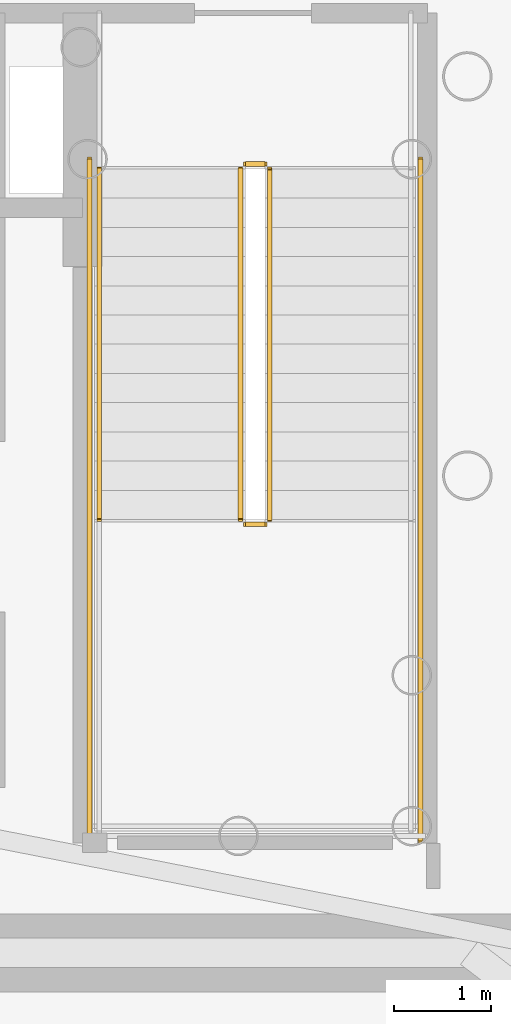
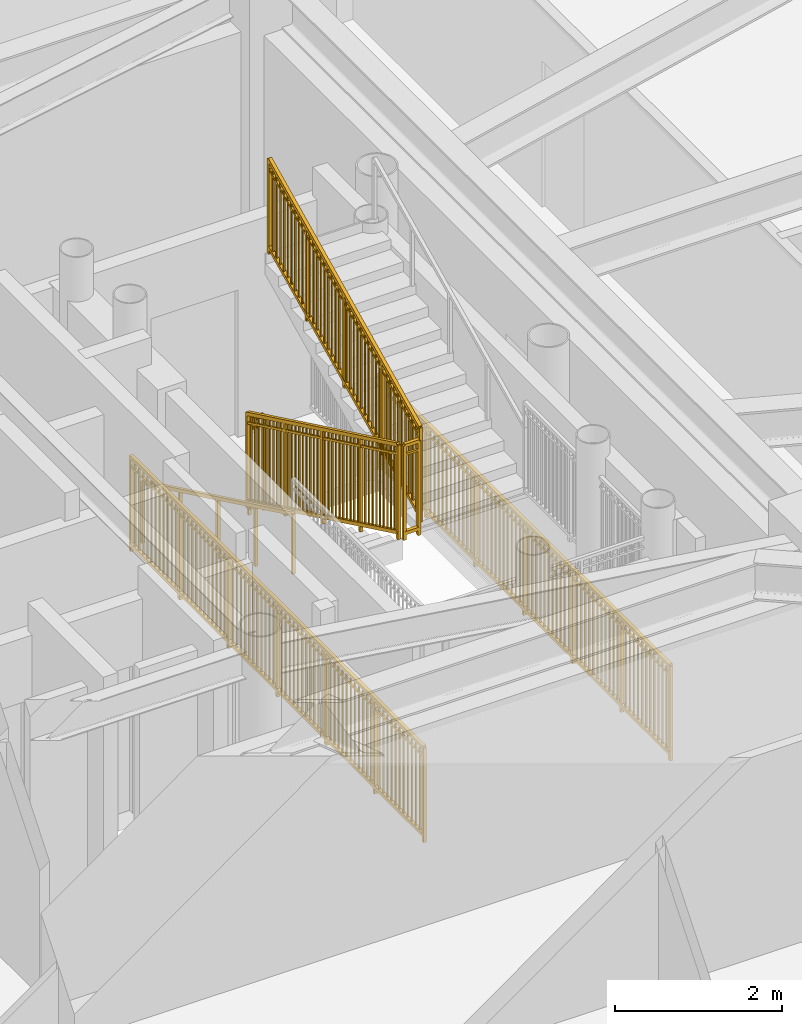
# One storey, part 18 of 19: 7 railings.
"""IFC4 building model written with IfcOpenShell, lengths in metres."""

from ifc_helpers import new_model, si_unit, direction, frame, origin, origin_2d, place, context, subcontext, project, spatial, rectangle, extrude, source, transform, mapped, material, type_object, element, save


model = new_model("IFC4")

# Units and contexts
model_context = context("Model", 3, precision=1e-05, world=origin(), true_north=direction((0.0, 1.0)))
body_context = subcontext(model_context, "Body", "Model", "MODEL_VIEW")
ifc_project = project(units=[si_unit("LENGTHUNIT", "METRE"), si_unit("AREAUNIT", "SQUARE_METRE"), si_unit("VOLUMEUNIT", "CUBIC_METRE"), si_unit("PLANEANGLEUNIT", "RADIAN"), si_unit("MASSUNIT", "GRAM", prefix="KILO")], contexts=[model_context])

# Site, building, storey
site_placement = place(None, origin())
site = spatial("IfcSite", under=ifc_project, at=site_placement, CompositionType="ELEMENT")
building_placement = place(site_placement, origin())
building = spatial("IfcBuilding", under=site, at=building_placement, Name="Linh Dai School and Residence Tower", CompositionType="ELEMENT")
storey_placement = place(building_placement, frame((0.0, 0.0, 112.199951171875)))
storey = spatial("IfcBuildingStorey", under=building, at=storey_placement, Name="L26", CompositionType="ELEMENT", Elevation=112.199951171875)

# Railings
ifc_material_1 = material(Name="Structural Steel S355JR", Category="steel")
railing_type_1 = type_object("IfcRailingType", Name="RL-ST-GUARD-1400", PredefinedType="GUARDRAIL", material=ifc_material_1)
shared_shape_1 = source(origin(), body_context, "Body", "SweptSolid", [
    extrude(rectangle(XDim=0.048095703125, YDim=0.048095703125, at=origin_2d()), frame((0.0, 0.0, 1.3759765625), z_axis=(0.0, 0.901262522062, 0.433273431364), x_axis=(-1.0, 0.0, 0.0)), (0.0, 0.0, 1.0), 3.994384765625),
    extrude(rectangle(XDim=0.048095703125, YDim=0.048095703125, at=origin_2d()), frame((0.0, 0.0, 0.10009765625), z_axis=(0.0, 0.901262522062, 0.433273431364), x_axis=(-1.0, 0.0, 0.0)), (0.0, 0.0, 1.0), 3.994384765625),
    extrude(rectangle(XDim=0.030029296875, YDim=0.030029296875, at=origin_2d()), frame((0.0, 0.0, 1.239990234375), z_axis=(0.0, 0.901262522062, 0.433273431364), x_axis=(-1.0, 0.0, 0.0)), (0.0, 0.0, 1.0), 3.994384765625),
    extrude(rectangle(XDim=0.02001953125, YDim=0.02001953125, at=origin_2d()), frame((0.0, 0.087890625, 0.142333984375)), (0.0, 0.0, 1.0), 1.251708984375),
    extrude(rectangle(XDim=0.02001953125, YDim=0.02001953125, at=origin_2d()), frame((0.0, 0.175537109375, 0.1845703125)), (0.0, 0.0, 1.0), 1.251708984375),
    extrude(rectangle(XDim=0.02001953125, YDim=0.02001953125, at=origin_2d()), frame((0.0, 0.263427734375, 0.226806640625)), (0.0, 0.0, 1.0), 1.251708984375),
    extrude(rectangle(XDim=0.02001953125, YDim=0.02001953125, at=origin_2d()), frame((0.0, 0.351318359375, 0.26904296875)), (0.0, 0.0, 1.0), 1.251708984375),
    extrude(rectangle(XDim=0.02001953125, YDim=0.02001953125, at=origin_2d()), frame((0.0, 0.43896484375, 0.311279296875)), (0.0, 0.0, 1.0), 1.251708984375),
    extrude(rectangle(XDim=0.02001953125, YDim=0.02001953125, at=origin_2d()), frame((0.0, 0.52685546875, 0.353271484375)), (0.0, 0.0, 1.0), 1.251708984375),
    extrude(rectangle(XDim=0.02001953125, YDim=0.02001953125, at=origin_2d()), frame((0.0, 0.61474609375, 0.3955078125)), (0.0, 0.0, 1.0), 1.251708984375),
    extrude(rectangle(XDim=0.02001953125, YDim=0.02001953125, at=origin_2d()), frame((0.0, 0.702392578125, 0.437744140625)), (0.0, 0.0, 1.0), 1.251708984375),
    extrude(rectangle(XDim=0.02001953125, YDim=0.02001953125, at=origin_2d()), frame((0.0, 0.790283203125, 0.47998046875)), (0.0, 0.0, 1.0), 1.251708984375),
    extrude(rectangle(XDim=0.02001953125, YDim=0.02001953125, at=origin_2d()), frame((0.0, 0.9658203125, 0.564453125)), (0.0, 0.0, 1.0), 1.251708984375),
    extrude(rectangle(XDim=0.02001953125, YDim=0.02001953125, at=origin_2d()), frame((0.0, 1.0537109375, 0.606689453125)), (0.0, 0.0, 1.0), 1.251708984375),
    extrude(rectangle(XDim=0.02001953125, YDim=0.02001953125, at=origin_2d()), frame((0.0, 1.1416015625, 0.64892578125)), (0.0, 0.0, 1.0), 1.251708984375),
    extrude(rectangle(XDim=0.02001953125, YDim=0.02001953125, at=origin_2d()), frame((0.0, 1.229248046875, 0.691162109375)), (0.0, 0.0, 1.0), 1.251708984375),
    extrude(rectangle(XDim=0.02001953125, YDim=0.02001953125, at=origin_2d()), frame((0.0, 1.317138671875, 0.7333984375)), (0.0, 0.0, 1.0), 1.251708984375),
    extrude(rectangle(XDim=0.02001953125, YDim=0.02001953125, at=origin_2d()), frame((0.0, 1.405029296875, 0.775390625)), (0.0, 0.0, 1.0), 1.251708984375),
    extrude(rectangle(XDim=0.02001953125, YDim=0.02001953125, at=origin_2d()), frame((0.0, 1.49267578125, 0.817626953125)), (0.0, 0.0, 1.0), 1.251708984375),
    extrude(rectangle(XDim=0.02001953125, YDim=0.02001953125, at=origin_2d()), frame((0.0, 1.58056640625, 0.85986328125)), (0.0, 0.0, 1.0), 1.251708984375),
    extrude(rectangle(XDim=0.02001953125, YDim=0.02001953125, at=origin_2d()), frame((0.0, 1.66845703125, 0.902099609375)), (0.0, 0.0, 1.0), 1.251708984375),
    extrude(rectangle(XDim=0.02001953125, YDim=0.02001953125, at=origin_2d()), frame((0.0, 1.756103515625, 0.9443359375)), (0.0, 0.0, 1.0), 1.251708984375),
    extrude(rectangle(XDim=0.02001953125, YDim=0.02001953125, at=origin_2d()), frame((0.0, 1.843994140625, 0.986572265625)), (0.0, 0.0, 1.0), 1.251708984375),
    extrude(rectangle(XDim=0.02001953125, YDim=0.02001953125, at=origin_2d()), frame((0.0, 1.931640625, 1.02880859375)), (0.0, 0.0, 1.0), 1.251708984375),
    extrude(rectangle(XDim=0.02001953125, YDim=0.02001953125, at=origin_2d()), frame((0.0, 2.01953125, 1.071044921875)), (0.0, 0.0, 1.0), 1.251708984375),
    extrude(rectangle(XDim=0.02001953125, YDim=0.02001953125, at=origin_2d()), frame((0.0, 2.107421875, 1.11328125)), (0.0, 0.0, 1.0), 1.251708984375),
    extrude(rectangle(XDim=0.02001953125, YDim=0.02001953125, at=origin_2d()), frame((0.0, 2.195068359375, 1.155517578125)), (0.0, 0.0, 1.0), 1.251708984375),
    extrude(rectangle(XDim=0.02001953125, YDim=0.02001953125, at=origin_2d()), frame((0.0, 2.282958984375, 1.197509765625)), (0.0, 0.0, 1.0), 1.251708984375),
    extrude(rectangle(XDim=0.02001953125, YDim=0.02001953125, at=origin_2d()), frame((0.0, 2.370849609375, 1.23974609375)), (0.0, 0.0, 1.0), 1.251708984375),
    extrude(rectangle(XDim=0.02001953125, YDim=0.02001953125, at=origin_2d()), frame((0.0, 2.45849609375, 1.281982421875)), (0.0, 0.0, 1.0), 1.251708984375),
    extrude(rectangle(XDim=0.02001953125, YDim=0.02001953125, at=origin_2d()), frame((0.0, 2.54638671875, 1.32421875)), (0.0, 0.0, 1.0), 1.251708984375),
    extrude(rectangle(XDim=0.02001953125, YDim=0.02001953125, at=origin_2d()), frame((0.0, 2.63427734375, 1.366455078125)), (0.0, 0.0, 1.0), 1.251708984375),
    extrude(rectangle(XDim=0.02001953125, YDim=0.02001953125, at=origin_2d()), frame((0.0, 2.809814453125, 1.450927734375)), (0.0, 0.0, 1.0), 1.251708984375),
    extrude(rectangle(XDim=0.02001953125, YDim=0.02001953125, at=origin_2d()), frame((0.0, 2.897705078125, 1.4931640625)), (0.0, 0.0, 1.0), 1.251708984375),
    extrude(rectangle(XDim=0.02001953125, YDim=0.02001953125, at=origin_2d()), frame((0.0, 2.9853515625, 1.535400390625)), (0.0, 0.0, 1.0), 1.251708984375),
    extrude(rectangle(XDim=0.02001953125, YDim=0.02001953125, at=origin_2d()), frame((0.0, 3.0732421875, 1.57763671875)), (0.0, 0.0, 1.0), 1.251708984375),
    extrude(rectangle(XDim=0.02001953125, YDim=0.02001953125, at=origin_2d()), frame((0.0, 3.1611328125, 1.61962890625)), (0.0, 0.0, 1.0), 1.251708984375),
    extrude(rectangle(XDim=0.02001953125, YDim=0.02001953125, at=origin_2d()), frame((0.0, 3.248779296875, 1.661865234375)), (0.0, 0.0, 1.0), 1.251708984375),
    extrude(rectangle(XDim=0.02001953125, YDim=0.02001953125, at=origin_2d()), frame((0.0, 3.336669921875, 1.7041015625)), (0.0, 0.0, 1.0), 1.251708984375),
    extrude(rectangle(XDim=0.02001953125, YDim=0.02001953125, at=origin_2d()), frame((0.0, 3.424560546875, 1.746337890625)), (0.0, 0.0, 1.0), 1.251708984375),
    extrude(rectangle(XDim=0.02001953125, YDim=0.02001953125, at=origin_2d()), frame((0.0, 3.51220703125, 1.78857421875)), (0.0, 0.0, 1.0), 1.251708984375),
    extrude(rectangle(XDim=0.0419921875, YDim=0.0419921875, at=origin_2d()), origin(), (0.0, 0.0, 1.0), 1.3759765625),
    extrude(rectangle(XDim=0.0419921875, YDim=0.0419921875, at=origin_2d()), frame((0.0, 0.89990234375, 0.4326171875)), (0.0, 0.0, 1.0), 1.3759765625),
    extrude(rectangle(XDim=0.0419921875, YDim=0.0419921875, at=origin_2d()), frame((0.0, 1.800048828125, 0.865234375)), (0.0, 0.0, 1.0), 1.3759765625),
    extrude(rectangle(XDim=0.0419921875, YDim=0.0419921875, at=origin_2d()), frame((0.0, 2.7001953125, 1.298095703125)), (0.0, 0.0, 1.0), 1.3759765625),
    extrude(rectangle(XDim=0.0419921875, YDim=0.0419921875, at=origin_2d()), frame((0.0, 3.60009765625, 1.730712890625)), (0.0, 0.0, 1.0), 1.3759765625),
])
railing_1_placement = place(storey_placement, frame((42.820068359375, 24.64990234375, 2.019287109375)))
element("IfcRailing", 1, at=railing_1_placement, inside=storey, type_object=railing_type_1, Name="L26 ST2 stair guard 6", PredefinedType="GUARDRAIL", context=body_context, shape_type="MappedRepresentation", body=[
    mapped(shared_shape_1, transform((0.0, 0.0, 0.0), x_axis=(1.0, 0.0, 0.0), y_axis=(0.0, 1.0, 0.0), z_axis=(0.0, 0.0, 1.0), scale=1.0)),
])
shared_shape_2 = source(origin(), body_context, "Body", "SweptSolid", [
    extrude(rectangle(XDim=0.048095703125, YDim=0.048095703125, at=origin_2d()), frame((0.0, 0.0, 1.3759765625), z_axis=(0.0, -0.901262522062, 0.433273431364), x_axis=(1.0, 0.0, 0.0)), (0.0, 0.0, 1.0), 3.994384765625),
    extrude(rectangle(XDim=0.048095703125, YDim=0.048095703125, at=origin_2d()), frame((0.0, 0.0, 0.10009765625), z_axis=(0.0, -0.901262522062, 0.433273431364), x_axis=(1.0, 0.0, 0.0)), (0.0, 0.0, 1.0), 3.994384765625),
    extrude(rectangle(XDim=0.030029296875, YDim=0.030029296875, at=origin_2d()), frame((0.0, 0.0, 1.239990234375), z_axis=(0.0, -0.901262522062, 0.433273431364), x_axis=(1.0, 0.0, 0.0)), (0.0, 0.0, 1.0), 3.994384765625),
    extrude(rectangle(XDim=0.02001953125, YDim=0.02001953125, at=origin_2d()), frame((0.0, -0.087890625, 0.142333984375)), (0.0, 0.0, 1.0), 1.251708984375),
    extrude(rectangle(XDim=0.02001953125, YDim=0.02001953125, at=origin_2d()), frame((0.0, -0.175537109375, 0.1845703125)), (0.0, 0.0, 1.0), 1.251708984375),
    extrude(rectangle(XDim=0.02001953125, YDim=0.02001953125, at=origin_2d()), frame((0.0, -0.263427734375, 0.226806640625)), (0.0, 0.0, 1.0), 1.251708984375),
    extrude(rectangle(XDim=0.02001953125, YDim=0.02001953125, at=origin_2d()), frame((0.0, -0.351318359375, 0.26904296875)), (0.0, 0.0, 1.0), 1.251708984375),
    extrude(rectangle(XDim=0.02001953125, YDim=0.02001953125, at=origin_2d()), frame((0.0, -0.43896484375, 0.311279296875)), (0.0, 0.0, 1.0), 1.251708984375),
    extrude(rectangle(XDim=0.02001953125, YDim=0.02001953125, at=origin_2d()), frame((0.0, -0.52685546875, 0.353271484375)), (0.0, 0.0, 1.0), 1.251708984375),
    extrude(rectangle(XDim=0.02001953125, YDim=0.02001953125, at=origin_2d()), frame((0.0, -0.61474609375, 0.3955078125)), (0.0, 0.0, 1.0), 1.251708984375),
    extrude(rectangle(XDim=0.02001953125, YDim=0.02001953125, at=origin_2d()), frame((0.0, -0.702392578125, 0.437744140625)), (0.0, 0.0, 1.0), 1.251708984375),
    extrude(rectangle(XDim=0.02001953125, YDim=0.02001953125, at=origin_2d()), frame((0.0, -0.790283203125, 0.47998046875)), (0.0, 0.0, 1.0), 1.251708984375),
    extrude(rectangle(XDim=0.02001953125, YDim=0.02001953125, at=origin_2d()), frame((0.0, -0.9658203125, 0.564453125)), (0.0, 0.0, 1.0), 1.251708984375),
    extrude(rectangle(XDim=0.02001953125, YDim=0.02001953125, at=origin_2d()), frame((0.0, -1.0537109375, 0.606689453125)), (0.0, 0.0, 1.0), 1.251708984375),
    extrude(rectangle(XDim=0.02001953125, YDim=0.02001953125, at=origin_2d()), frame((0.0, -1.1416015625, 0.64892578125)), (0.0, 0.0, 1.0), 1.251708984375),
    extrude(rectangle(XDim=0.02001953125, YDim=0.02001953125, at=origin_2d()), frame((0.0, -1.229248046875, 0.691162109375)), (0.0, 0.0, 1.0), 1.251708984375),
    extrude(rectangle(XDim=0.02001953125, YDim=0.02001953125, at=origin_2d()), frame((0.0, -1.317138671875, 0.7333984375)), (0.0, 0.0, 1.0), 1.251708984375),
    extrude(rectangle(XDim=0.02001953125, YDim=0.02001953125, at=origin_2d()), frame((0.0, -1.405029296875, 0.775390625)), (0.0, 0.0, 1.0), 1.251708984375),
    extrude(rectangle(XDim=0.02001953125, YDim=0.02001953125, at=origin_2d()), frame((0.0, -1.49267578125, 0.817626953125)), (0.0, 0.0, 1.0), 1.251708984375),
    extrude(rectangle(XDim=0.02001953125, YDim=0.02001953125, at=origin_2d()), frame((0.0, -1.58056640625, 0.85986328125)), (0.0, 0.0, 1.0), 1.251708984375),
    extrude(rectangle(XDim=0.02001953125, YDim=0.02001953125, at=origin_2d()), frame((0.0, -1.66845703125, 0.902099609375)), (0.0, 0.0, 1.0), 1.251708984375),
    extrude(rectangle(XDim=0.02001953125, YDim=0.02001953125, at=origin_2d()), frame((0.0, -1.756103515625, 0.9443359375)), (0.0, 0.0, 1.0), 1.251708984375),
    extrude(rectangle(XDim=0.02001953125, YDim=0.02001953125, at=origin_2d()), frame((0.0, -1.843994140625, 0.986572265625)), (0.0, 0.0, 1.0), 1.251708984375),
    extrude(rectangle(XDim=0.02001953125, YDim=0.02001953125, at=origin_2d()), frame((0.0, -1.931640625, 1.02880859375)), (0.0, 0.0, 1.0), 1.251708984375),
    extrude(rectangle(XDim=0.02001953125, YDim=0.02001953125, at=origin_2d()), frame((0.0, -2.01953125, 1.071044921875)), (0.0, 0.0, 1.0), 1.251708984375),
    extrude(rectangle(XDim=0.02001953125, YDim=0.02001953125, at=origin_2d()), frame((0.0, -2.107421875, 1.11328125)), (0.0, 0.0, 1.0), 1.251708984375),
    extrude(rectangle(XDim=0.02001953125, YDim=0.02001953125, at=origin_2d()), frame((0.0, -2.195068359375, 1.155517578125)), (0.0, 0.0, 1.0), 1.251708984375),
    extrude(rectangle(XDim=0.02001953125, YDim=0.02001953125, at=origin_2d()), frame((0.0, -2.282958984375, 1.197509765625)), (0.0, 0.0, 1.0), 1.251708984375),
    extrude(rectangle(XDim=0.02001953125, YDim=0.02001953125, at=origin_2d()), frame((0.0, -2.370849609375, 1.23974609375)), (0.0, 0.0, 1.0), 1.251708984375),
    extrude(rectangle(XDim=0.02001953125, YDim=0.02001953125, at=origin_2d()), frame((0.0, -2.45849609375, 1.281982421875)), (0.0, 0.0, 1.0), 1.251708984375),
    extrude(rectangle(XDim=0.02001953125, YDim=0.02001953125, at=origin_2d()), frame((0.0, -2.54638671875, 1.32421875)), (0.0, 0.0, 1.0), 1.251708984375),
    extrude(rectangle(XDim=0.02001953125, YDim=0.02001953125, at=origin_2d()), frame((0.0, -2.63427734375, 1.366455078125)), (0.0, 0.0, 1.0), 1.251708984375),
    extrude(rectangle(XDim=0.02001953125, YDim=0.02001953125, at=origin_2d()), frame((0.0, -2.809814453125, 1.450927734375)), (0.0, 0.0, 1.0), 1.251708984375),
    extrude(rectangle(XDim=0.02001953125, YDim=0.02001953125, at=origin_2d()), frame((0.0, -2.897705078125, 1.4931640625)), (0.0, 0.0, 1.0), 1.251708984375),
    extrude(rectangle(XDim=0.02001953125, YDim=0.02001953125, at=origin_2d()), frame((0.0, -2.9853515625, 1.535400390625)), (0.0, 0.0, 1.0), 1.251708984375),
    extrude(rectangle(XDim=0.02001953125, YDim=0.02001953125, at=origin_2d()), frame((0.0, -3.0732421875, 1.57763671875)), (0.0, 0.0, 1.0), 1.251708984375),
    extrude(rectangle(XDim=0.02001953125, YDim=0.02001953125, at=origin_2d()), frame((0.0, -3.1611328125, 1.61962890625)), (0.0, 0.0, 1.0), 1.251708984375),
    extrude(rectangle(XDim=0.02001953125, YDim=0.02001953125, at=origin_2d()), frame((0.0, -3.248779296875, 1.661865234375)), (0.0, 0.0, 1.0), 1.251708984375),
    extrude(rectangle(XDim=0.02001953125, YDim=0.02001953125, at=origin_2d()), frame((0.0, -3.336669921875, 1.7041015625)), (0.0, 0.0, 1.0), 1.251708984375),
    extrude(rectangle(XDim=0.02001953125, YDim=0.02001953125, at=origin_2d()), frame((0.0, -3.424560546875, 1.746337890625)), (0.0, 0.0, 1.0), 1.251708984375),
    extrude(rectangle(XDim=0.02001953125, YDim=0.02001953125, at=origin_2d()), frame((0.0, -3.51220703125, 1.78857421875)), (0.0, 0.0, 1.0), 1.251708984375),
    extrude(rectangle(XDim=0.0419921875, YDim=0.0419921875, at=origin_2d()), origin(), (0.0, 0.0, 1.0), 1.3759765625),
    extrude(rectangle(XDim=0.0419921875, YDim=0.0419921875, at=origin_2d()), frame((0.0, -0.89990234375, 0.4326171875)), (0.0, 0.0, 1.0), 1.3759765625),
    extrude(rectangle(XDim=0.0419921875, YDim=0.0419921875, at=origin_2d()), frame((0.0, -1.800048828125, 0.865234375)), (0.0, 0.0, 1.0), 1.3759765625),
    extrude(rectangle(XDim=0.0419921875, YDim=0.0419921875, at=origin_2d()), frame((0.0, -2.7001953125, 1.298095703125)), (0.0, 0.0, 1.0), 1.3759765625),
    extrude(rectangle(XDim=0.0419921875, YDim=0.0419921875, at=origin_2d()), frame((0.0, -3.60009765625, 1.730712890625)), (0.0, 0.0, 1.0), 1.3759765625),
])
railing_2_placement = place(storey_placement, frame((42.52001953125, 28.25, 0.144287109375)))
element("IfcRailing", 2, at=railing_2_placement, inside=storey, type_object=railing_type_1, Name="L26 ST2 stair guard 1", PredefinedType="GUARDRAIL", context=body_context, shape_type="MappedRepresentation", body=[
    mapped(shared_shape_2, transform((0.0, 0.0, 0.0), x_axis=(1.0, 0.0, 0.0), y_axis=(0.0, 1.0, 0.0), z_axis=(0.0, 0.0, 1.0), scale=1.0)),
])
ifc_material_2 = material(Name="Brushed Stainless Steel Handrail", Category="steel")
railing_type_2 = type_object("IfcRailingType", Name="RL-ST-HANDRAIL-900", PredefinedType="HANDRAIL", material=ifc_material_2)
shared_shape_3 = source(origin(), body_context, "Body", "SweptSolid", [
    extrude(rectangle(XDim=0.048095703125, YDim=0.048095703125, at=origin_2d()), frame((0.0, 0.0, 0.8759765625), z_axis=(0.0, -0.901262522062, 0.433273431364), x_axis=(1.0, 0.0, 0.0)), (0.0, 0.0, 1.0), 3.994384765625),
    extrude(rectangle(XDim=0.0419921875, YDim=0.0419921875, at=origin_2d()), origin(), (0.0, 0.0, 1.0), 0.8759765625),
    extrude(rectangle(XDim=0.0419921875, YDim=0.0419921875, at=origin_2d()), frame((0.0, -0.89990234375, 0.4326171875)), (0.0, 0.0, 1.0), 0.8759765625),
    extrude(rectangle(XDim=0.0419921875, YDim=0.0419921875, at=origin_2d()), frame((0.0, -1.800048828125, 0.865234375)), (0.0, 0.0, 1.0), 0.8759765625),
    extrude(rectangle(XDim=0.0419921875, YDim=0.0419921875, at=origin_2d()), frame((0.0, -2.7001953125, 1.298095703125)), (0.0, 0.0, 1.0), 0.8759765625),
    extrude(rectangle(XDim=0.0419921875, YDim=0.0419921875, at=origin_2d()), frame((0.0, -3.60009765625, 1.730712890625)), (0.0, 0.0, 1.0), 0.8759765625),
])
railing_3_placement = place(storey_placement, frame((41.070068359375, 28.25, 0.144287109375)))
element("IfcRailing", 3, at=railing_3_placement, inside=storey, type_object=railing_type_2, Name="L26 ST2 stair handrail 1", PredefinedType="HANDRAIL", context=body_context, shape_type="MappedRepresentation", body=[
    mapped(shared_shape_3, transform((0.0, 0.0, 0.0), x_axis=(1.0, 0.0, 0.0), y_axis=(0.0, 1.0, 0.0), z_axis=(0.0, 0.0, 1.0), scale=1.0)),
])
shared_shape_4 = source(origin(), body_context, "Body", "SweptSolid", [
    extrude(rectangle(XDim=0.048095703125, YDim=0.048095703125, at=origin_2d()), frame((0.0, 0.0, 1.3759765625), z_axis=(1.0, 0.0, 0.0), x_axis=(0.0, 1.0, 0.0)), (0.0, 0.0, 1.0), 0.199951171875),
    extrude(rectangle(XDim=0.048095703125, YDim=0.048095703125, at=origin_2d()), frame((0.0, 0.0, 0.10009765625), z_axis=(1.0, 0.0, 0.0), x_axis=(0.0, 1.0, 0.0)), (0.0, 0.0, 1.0), 0.199951171875),
    extrude(rectangle(XDim=0.030029296875, YDim=0.030029296875, at=origin_2d()), frame((0.0, 0.0, 1.239990234375), z_axis=(1.0, 0.0, 0.0), x_axis=(0.0, 1.0, 0.0)), (0.0, 0.0, 1.0), 0.199951171875),
    extrude(rectangle(XDim=0.0419921875, YDim=0.0419921875, at=origin_2d()), origin(), (0.0, 0.0, 1.0), 1.3759765625),
    extrude(rectangle(XDim=0.0419921875, YDim=0.0419921875, at=origin_2d()), frame((0.199951171875, 0.0, 0.0)), (0.0, 0.0, 1.0), 1.3759765625),
])
for number, where, name in (
    (4, (42.570068359375, 24.60009765625, 1.875), "L26 ST2 stair guard 2"),
    (5, (42.570068359375, 28.300048828125, 0.0), "L26 ST2 stair guard 7"),
):
    element("IfcRailing", number, at=place(storey_placement, frame(where)), inside=storey, type_object=railing_type_1, Name=name, PredefinedType="GUARDRAIL", context=body_context, shape_type="MappedRepresentation", body=[
        mapped(shared_shape_4, transform((0.0, 0.0, 0.0), x_axis=(1.0, 0.0, 0.0), y_axis=(0.0, 1.0, 0.0), z_axis=(0.0, 0.0, 1.0), scale=1.0)),
    ])
shared_shape_5 = source(origin(), body_context, "Body", "SweptSolid", [
    extrude(rectangle(XDim=0.048095703125, YDim=0.048095703125, at=origin_2d()), frame((0.0, 0.0, 1.3759765625), z_axis=(0.0, -1.0, 0.0), x_axis=(1.0, 0.0, 0.0)), (0.0, 0.0, 1.0), 7.0),
    extrude(rectangle(XDim=0.048095703125, YDim=0.048095703125, at=origin_2d()), frame((0.0, 0.0, 0.10009765625), z_axis=(0.0, -1.0, 0.0), x_axis=(1.0, 0.0, 0.0)), (0.0, 0.0, 1.0), 7.0),
    extrude(rectangle(XDim=0.030029296875, YDim=0.030029296875, at=origin_2d()), frame((0.0, 0.0, 1.239990234375), z_axis=(0.0, -1.0, 0.0), x_axis=(1.0, 0.0, 0.0)), (0.0, 0.0, 1.0), 7.0),
    extrude(rectangle(XDim=0.02001953125, YDim=0.02001953125, at=origin_2d()), frame((0.0, -0.09716796875, 0.10009765625)), (0.0, 0.0, 1.0), 1.251708984375),
    extrude(rectangle(XDim=0.02001953125, YDim=0.02001953125, at=origin_2d()), frame((0.0, -0.1943359375, 0.10009765625)), (0.0, 0.0, 1.0), 1.251708984375),
    extrude(rectangle(XDim=0.02001953125, YDim=0.02001953125, at=origin_2d()), frame((0.0, -0.291748046875, 0.10009765625)), (0.0, 0.0, 1.0), 1.251708984375),
    extrude(rectangle(XDim=0.02001953125, YDim=0.02001953125, at=origin_2d()), frame((0.0, -0.388916015625, 0.10009765625)), (0.0, 0.0, 1.0), 1.251708984375),
    extrude(rectangle(XDim=0.02001953125, YDim=0.02001953125, at=origin_2d()), frame((0.0, -0.486083984375, 0.10009765625)), (0.0, 0.0, 1.0), 1.251708984375),
    extrude(rectangle(XDim=0.02001953125, YDim=0.02001953125, at=origin_2d()), frame((0.0, -0.583251953125, 0.10009765625)), (0.0, 0.0, 1.0), 1.251708984375),
    extrude(rectangle(XDim=0.02001953125, YDim=0.02001953125, at=origin_2d()), frame((0.0, -0.6806640625, 0.10009765625)), (0.0, 0.0, 1.0), 1.251708984375),
    extrude(rectangle(XDim=0.02001953125, YDim=0.02001953125, at=origin_2d()), frame((0.0, -0.77783203125, 0.10009765625)), (0.0, 0.0, 1.0), 1.251708984375),
    extrude(rectangle(XDim=0.02001953125, YDim=0.02001953125, at=origin_2d()), frame((0.0, -0.875, 0.10009765625)), (0.0, 0.0, 1.0), 1.251708984375),
    extrude(rectangle(XDim=0.02001953125, YDim=0.02001953125, at=origin_2d()), frame((0.0, -0.97216796875, 0.10009765625)), (0.0, 0.0, 1.0), 1.251708984375),
    extrude(rectangle(XDim=0.02001953125, YDim=0.02001953125, at=origin_2d()), frame((0.0, -1.0693359375, 0.10009765625)), (0.0, 0.0, 1.0), 1.251708984375),
    extrude(rectangle(XDim=0.02001953125, YDim=0.02001953125, at=origin_2d()), frame((0.0, -1.263916015625, 0.10009765625)), (0.0, 0.0, 1.0), 1.251708984375),
    extrude(rectangle(XDim=0.02001953125, YDim=0.02001953125, at=origin_2d()), frame((0.0, -1.361083984375, 0.10009765625)), (0.0, 0.0, 1.0), 1.251708984375),
    extrude(rectangle(XDim=0.02001953125, YDim=0.02001953125, at=origin_2d()), frame((0.0, -1.458251953125, 0.10009765625)), (0.0, 0.0, 1.0), 1.251708984375),
    extrude(rectangle(XDim=0.02001953125, YDim=0.02001953125, at=origin_2d()), frame((0.0, -1.5556640625, 0.10009765625)), (0.0, 0.0, 1.0), 1.251708984375),
    extrude(rectangle(XDim=0.02001953125, YDim=0.02001953125, at=origin_2d()), frame((0.0, -1.65283203125, 0.10009765625)), (0.0, 0.0, 1.0), 1.251708984375),
    extrude(rectangle(XDim=0.02001953125, YDim=0.02001953125, at=origin_2d()), frame((0.0, -1.75, 0.10009765625)), (0.0, 0.0, 1.0), 1.251708984375),
    extrude(rectangle(XDim=0.02001953125, YDim=0.02001953125, at=origin_2d()), frame((0.0, -1.84716796875, 0.10009765625)), (0.0, 0.0, 1.0), 1.251708984375),
    extrude(rectangle(XDim=0.02001953125, YDim=0.02001953125, at=origin_2d()), frame((0.0, -1.9443359375, 0.10009765625)), (0.0, 0.0, 1.0), 1.251708984375),
    extrude(rectangle(XDim=0.02001953125, YDim=0.02001953125, at=origin_2d()), frame((0.0, -2.041748046875, 0.10009765625)), (0.0, 0.0, 1.0), 1.251708984375),
    extrude(rectangle(XDim=0.02001953125, YDim=0.02001953125, at=origin_2d()), frame((0.0, -2.138916015625, 0.10009765625)), (0.0, 0.0, 1.0), 1.251708984375),
    extrude(rectangle(XDim=0.02001953125, YDim=0.02001953125, at=origin_2d()), frame((0.0, -2.236083984375, 0.10009765625)), (0.0, 0.0, 1.0), 1.251708984375),
    extrude(rectangle(XDim=0.02001953125, YDim=0.02001953125, at=origin_2d()), frame((0.0, -2.4306640625, 0.10009765625)), (0.0, 0.0, 1.0), 1.251708984375),
    extrude(rectangle(XDim=0.02001953125, YDim=0.02001953125, at=origin_2d()), frame((0.0, -2.52783203125, 0.10009765625)), (0.0, 0.0, 1.0), 1.251708984375),
    extrude(rectangle(XDim=0.02001953125, YDim=0.02001953125, at=origin_2d()), frame((0.0, -2.625, 0.10009765625)), (0.0, 0.0, 1.0), 1.251708984375),
    extrude(rectangle(XDim=0.02001953125, YDim=0.02001953125, at=origin_2d()), frame((0.0, -2.72216796875, 0.10009765625)), (0.0, 0.0, 1.0), 1.251708984375),
    extrude(rectangle(XDim=0.02001953125, YDim=0.02001953125, at=origin_2d()), frame((0.0, -2.8193359375, 0.10009765625)), (0.0, 0.0, 1.0), 1.251708984375),
    extrude(rectangle(XDim=0.02001953125, YDim=0.02001953125, at=origin_2d()), frame((0.0, -2.916748046875, 0.10009765625)), (0.0, 0.0, 1.0), 1.251708984375),
    extrude(rectangle(XDim=0.02001953125, YDim=0.02001953125, at=origin_2d()), frame((0.0, -3.013916015625, 0.10009765625)), (0.0, 0.0, 1.0), 1.251708984375),
    extrude(rectangle(XDim=0.02001953125, YDim=0.02001953125, at=origin_2d()), frame((0.0, -3.111083984375, 0.10009765625)), (0.0, 0.0, 1.0), 1.251708984375),
    extrude(rectangle(XDim=0.02001953125, YDim=0.02001953125, at=origin_2d()), frame((0.0, -3.208251953125, 0.10009765625)), (0.0, 0.0, 1.0), 1.251708984375),
    extrude(rectangle(XDim=0.02001953125, YDim=0.02001953125, at=origin_2d()), frame((0.0, -3.3056640625, 0.10009765625)), (0.0, 0.0, 1.0), 1.251708984375),
    extrude(rectangle(XDim=0.02001953125, YDim=0.02001953125, at=origin_2d()), frame((0.0, -3.40283203125, 0.10009765625)), (0.0, 0.0, 1.0), 1.251708984375),
    extrude(rectangle(XDim=0.02001953125, YDim=0.02001953125, at=origin_2d()), frame((0.0, -3.59716796875, 0.10009765625)), (0.0, 0.0, 1.0), 1.251708984375),
    extrude(rectangle(XDim=0.02001953125, YDim=0.02001953125, at=origin_2d()), frame((0.0, -3.6943359375, 0.10009765625)), (0.0, 0.0, 1.0), 1.251708984375),
    extrude(rectangle(XDim=0.02001953125, YDim=0.02001953125, at=origin_2d()), frame((0.0, -3.791748046875, 0.10009765625)), (0.0, 0.0, 1.0), 1.251708984375),
    extrude(rectangle(XDim=0.02001953125, YDim=0.02001953125, at=origin_2d()), frame((0.0, -3.888916015625, 0.10009765625)), (0.0, 0.0, 1.0), 1.251708984375),
    extrude(rectangle(XDim=0.02001953125, YDim=0.02001953125, at=origin_2d()), frame((0.0, -3.986083984375, 0.10009765625)), (0.0, 0.0, 1.0), 1.251708984375),
    extrude(rectangle(XDim=0.02001953125, YDim=0.02001953125, at=origin_2d()), frame((0.0, -4.083251953125, 0.10009765625)), (0.0, 0.0, 1.0), 1.251708984375),
    extrude(rectangle(XDim=0.02001953125, YDim=0.02001953125, at=origin_2d()), frame((0.0, -4.1806640625, 0.10009765625)), (0.0, 0.0, 1.0), 1.251708984375),
    extrude(rectangle(XDim=0.02001953125, YDim=0.02001953125, at=origin_2d()), frame((0.0, -4.27783203125, 0.10009765625)), (0.0, 0.0, 1.0), 1.251708984375),
    extrude(rectangle(XDim=0.02001953125, YDim=0.02001953125, at=origin_2d()), frame((0.0, -4.375, 0.10009765625)), (0.0, 0.0, 1.0), 1.251708984375),
    extrude(rectangle(XDim=0.02001953125, YDim=0.02001953125, at=origin_2d()), frame((0.0, -4.47216796875, 0.10009765625)), (0.0, 0.0, 1.0), 1.251708984375),
    extrude(rectangle(XDim=0.02001953125, YDim=0.02001953125, at=origin_2d()), frame((0.0, -4.5693359375, 0.10009765625)), (0.0, 0.0, 1.0), 1.251708984375),
    extrude(rectangle(XDim=0.02001953125, YDim=0.02001953125, at=origin_2d()), frame((0.0, -4.763916015625, 0.10009765625)), (0.0, 0.0, 1.0), 1.251708984375),
    extrude(rectangle(XDim=0.02001953125, YDim=0.02001953125, at=origin_2d()), frame((0.0, -4.861083984375, 0.10009765625)), (0.0, 0.0, 1.0), 1.251708984375),
    extrude(rectangle(XDim=0.02001953125, YDim=0.02001953125, at=origin_2d()), frame((0.0, -4.958251953125, 0.10009765625)), (0.0, 0.0, 1.0), 1.251708984375),
    extrude(rectangle(XDim=0.02001953125, YDim=0.02001953125, at=origin_2d()), frame((0.0, -5.0556640625, 0.10009765625)), (0.0, 0.0, 1.0), 1.251708984375),
    extrude(rectangle(XDim=0.02001953125, YDim=0.02001953125, at=origin_2d()), frame((0.0, -5.15283203125, 0.10009765625)), (0.0, 0.0, 1.0), 1.251708984375),
    extrude(rectangle(XDim=0.02001953125, YDim=0.02001953125, at=origin_2d()), frame((0.0, -5.25, 0.10009765625)), (0.0, 0.0, 1.0), 1.251708984375),
    extrude(rectangle(XDim=0.02001953125, YDim=0.02001953125, at=origin_2d()), frame((0.0, -5.34716796875, 0.10009765625)), (0.0, 0.0, 1.0), 1.251708984375),
    extrude(rectangle(XDim=0.02001953125, YDim=0.02001953125, at=origin_2d()), frame((0.0, -5.4443359375, 0.10009765625)), (0.0, 0.0, 1.0), 1.251708984375),
    extrude(rectangle(XDim=0.02001953125, YDim=0.02001953125, at=origin_2d()), frame((0.0, -5.541748046875, 0.10009765625)), (0.0, 0.0, 1.0), 1.251708984375),
    extrude(rectangle(XDim=0.02001953125, YDim=0.02001953125, at=origin_2d()), frame((0.0, -5.638916015625, 0.10009765625)), (0.0, 0.0, 1.0), 1.251708984375),
    extrude(rectangle(XDim=0.02001953125, YDim=0.02001953125, at=origin_2d()), frame((0.0, -5.736083984375, 0.10009765625)), (0.0, 0.0, 1.0), 1.251708984375),
    extrude(rectangle(XDim=0.02001953125, YDim=0.02001953125, at=origin_2d()), frame((0.0, -5.9306640625, 0.10009765625)), (0.0, 0.0, 1.0), 1.251708984375),
    extrude(rectangle(XDim=0.02001953125, YDim=0.02001953125, at=origin_2d()), frame((0.0, -6.02783203125, 0.10009765625)), (0.0, 0.0, 1.0), 1.251708984375),
    extrude(rectangle(XDim=0.02001953125, YDim=0.02001953125, at=origin_2d()), frame((0.0, -6.125, 0.10009765625)), (0.0, 0.0, 1.0), 1.251708984375),
    extrude(rectangle(XDim=0.02001953125, YDim=0.02001953125, at=origin_2d()), frame((0.0, -6.22216796875, 0.10009765625)), (0.0, 0.0, 1.0), 1.251708984375),
    extrude(rectangle(XDim=0.02001953125, YDim=0.02001953125, at=origin_2d()), frame((0.0, -6.3193359375, 0.10009765625)), (0.0, 0.0, 1.0), 1.251708984375),
    extrude(rectangle(XDim=0.02001953125, YDim=0.02001953125, at=origin_2d()), frame((0.0, -6.416748046875, 0.10009765625)), (0.0, 0.0, 1.0), 1.251708984375),
    extrude(rectangle(XDim=0.02001953125, YDim=0.02001953125, at=origin_2d()), frame((0.0, -6.513916015625, 0.10009765625)), (0.0, 0.0, 1.0), 1.251708984375),
    extrude(rectangle(XDim=0.02001953125, YDim=0.02001953125, at=origin_2d()), frame((0.0, -6.611083984375, 0.10009765625)), (0.0, 0.0, 1.0), 1.251708984375),
    extrude(rectangle(XDim=0.02001953125, YDim=0.02001953125, at=origin_2d()), frame((0.0, -6.708251953125, 0.10009765625)), (0.0, 0.0, 1.0), 1.251708984375),
    extrude(rectangle(XDim=0.02001953125, YDim=0.02001953125, at=origin_2d()), frame((0.0, -6.8056640625, 0.10009765625)), (0.0, 0.0, 1.0), 1.251708984375),
    extrude(rectangle(XDim=0.02001953125, YDim=0.02001953125, at=origin_2d()), frame((0.0, -6.90283203125, 0.10009765625)), (0.0, 0.0, 1.0), 1.251708984375),
    extrude(rectangle(XDim=0.0419921875, YDim=0.0419921875, at=origin_2d()), origin(), (0.0, 0.0, 1.0), 1.3759765625),
    extrude(rectangle(XDim=0.0419921875, YDim=0.0419921875, at=origin_2d()), frame((0.0, -1.166748046875, 0.0)), (0.0, 0.0, 1.0), 1.3759765625),
    extrude(rectangle(XDim=0.0419921875, YDim=0.0419921875, at=origin_2d()), frame((0.0, -2.333251953125, 0.0)), (0.0, 0.0, 1.0), 1.3759765625),
    extrude(rectangle(XDim=0.0419921875, YDim=0.0419921875, at=origin_2d()), frame((0.0, -3.5, 0.0)), (0.0, 0.0, 1.0), 1.3759765625),
    extrude(rectangle(XDim=0.0419921875, YDim=0.0419921875, at=origin_2d()), frame((0.0, -4.666748046875, 0.0)), (0.0, 0.0, 1.0), 1.3759765625),
    extrude(rectangle(XDim=0.0419921875, YDim=0.0419921875, at=origin_2d()), frame((0.0, -5.833251953125, 0.0)), (0.0, 0.0, 1.0), 1.3759765625),
    extrude(rectangle(XDim=0.0419921875, YDim=0.0419921875, at=origin_2d()), frame((0.0, -7.0, 0.0)), (0.0, 0.0, 1.0), 1.3759765625),
])
for number, where, name in (
    (6, (40.969970703125, 28.35009765625, 0.0), "L26 ST2 stair guard 10"),
    (7, (44.3701171875, 28.35009765625, 0.0), "L26 ST2 stair guard 11"),
):
    element("IfcRailing", number, at=place(storey_placement, frame(where)), inside=storey, type_object=railing_type_1, Name=name, PredefinedType="GUARDRAIL", context=body_context, shape_type="MappedRepresentation", body=[
        mapped(shared_shape_5, transform((0.0, 0.0, 0.0), x_axis=(1.0, 0.0, 0.0), y_axis=(0.0, 1.0, 0.0), z_axis=(0.0, 0.0, 1.0), scale=1.0)),
    ])

save(model, "model.ifc")
